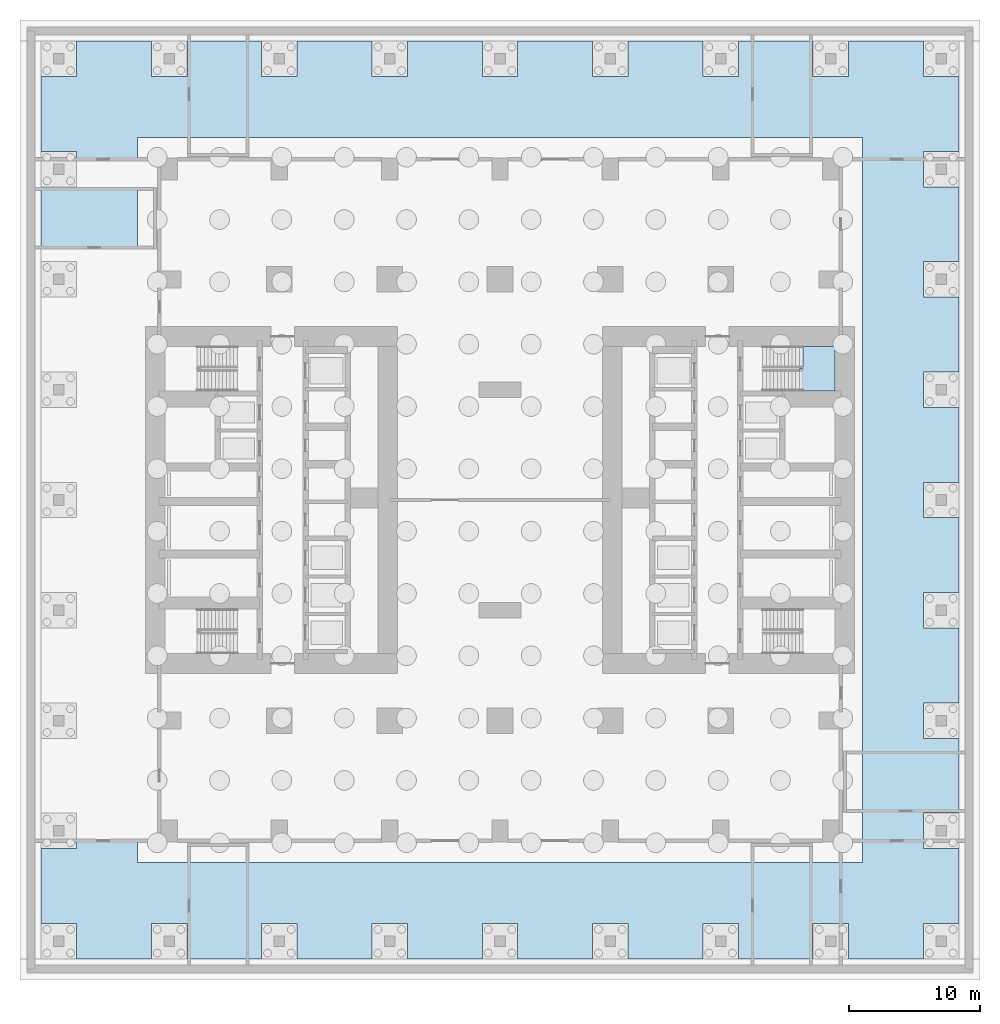
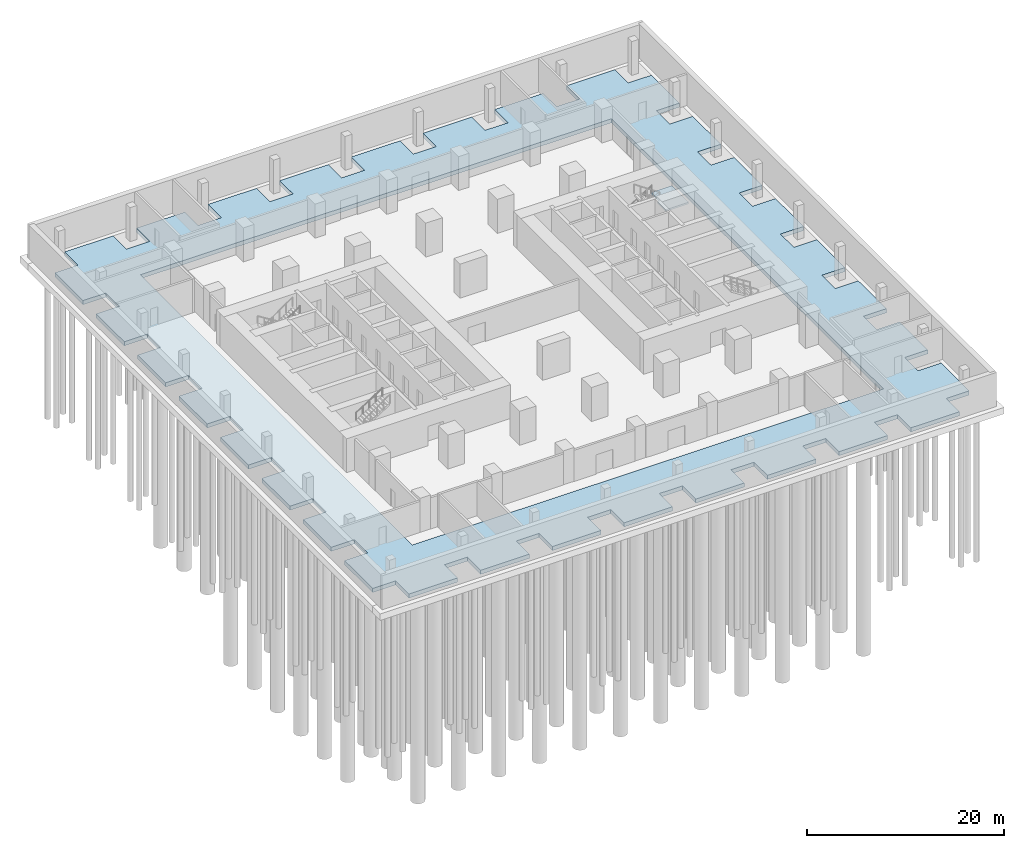
# One storey, part 3 of 11: 2 slabs, 1 element without a shape of its own.
"""IFC4 building model written with IfcOpenShell, lengths in metres."""

from ifc_helpers import new_model, si_unit, direction, frame, origin, place, context, subcontext, project, spatial, polyline, outline, extrude, material, layer, layer_set, type_object, element, aggregate, save


model = new_model("IFC4")

# Units and contexts
model_context = context("Model", 3, precision=1e-05, world=origin(), true_north=direction((0.0, 1.0)))
body_context = subcontext(model_context, "Body", "Model", "MODEL_VIEW")
ifc_project = project(units=[si_unit("LENGTHUNIT", "METRE"), si_unit("AREAUNIT", "SQUARE_METRE"), si_unit("VOLUMEUNIT", "CUBIC_METRE"), si_unit("PLANEANGLEUNIT", "RADIAN"), si_unit("MASSUNIT", "GRAM", prefix="KILO")], contexts=[model_context])

# Site, building, storey
site_placement = place(None, origin())
site = spatial("IfcSite", under=ifc_project, at=site_placement, CompositionType="ELEMENT")
building_placement = place(site_placement, origin())
building = spatial("IfcBuilding", under=site, at=building_placement, Name="Claustro Exchange Tower", CompositionType="ELEMENT")
storey_placement = place(building_placement, frame((0.0, 0.0, -8.39990234375)))
storey = spatial("IfcBuildingStorey", under=building, at=storey_placement, Name="B2", CompositionType="ELEMENT", Elevation=-8.39990234375)

# Slab
ifc_material_1 = material(Name="Concrete HA-40 (C40/50)", Category="concrete")
ifc_layer_1 = layer(ifc_material_1, 0.5)
ifc_layer_set_1 = layer_set([ifc_layer_1], Name="Concrete HA-40 (C40/50)")
slab_type_1 = type_object("IfcSlabType", Name="S8 500 ground bearing base slab", PredefinedType="BASESLAB", material=ifc_layer_set_1)
slab_1_placement = place(storey_placement, frame((0.0, 0.0, -0.5)))
element("IfcSlab", 1, at=slab_1_placement, inside=storey, type_object=slab_type_1, Name="Base slab S8 B2", PredefinedType="BASESLAB", context=body_context, shape_type="SweptSolid", body=[
    extrude(outline(polyline([(57.449951171875, -7.050048828125), (60.14990234375, -7.050048828125), (60.14990234375, -1.35009765625), (57.449951171875, -1.35009765625), (57.449951171875, 1.35009765625), (60.14990234375, 1.35009765625), (60.14990234375, 7.050048828125), (57.449951171875, 7.050048828125), (57.449951171875, 9.75), (60.14990234375, 9.75), (60.14990234375, 15.449951171875), (57.449951171875, 15.449951171875), (57.449951171875, 18.14990234375), (60.14990234375, 18.14990234375), (60.14990234375, 23.85009765625), (57.449951171875, 23.85009765625), (57.449951171875, 26.550048828125), (60.14990234375, 26.550048828125), (60.14990234375, 32.25), (57.449951171875, 32.25), (57.449951171875, 34.949951171875), (60.14990234375, 34.949951171875), (60.14990234375, 40.64990234375), (57.449951171875, 40.64990234375), (57.449951171875, 43.35009765625), (60.14990234375, 43.35009765625), (60.14990234375, 49.050048828125), (57.449951171875, 49.050048828125), (57.449951171875, 51.75), (60.14990234375, 51.75), (60.14990234375, 57.449951171875), (57.449951171875, 57.449951171875), (57.449951171875, 60.14990234375), (51.75, 60.14990234375), (51.75, 57.449951171875), (49.050048828125, 57.449951171875), (49.050048828125, 60.14990234375), (43.35009765625, 60.14990234375), (43.35009765625, 57.449951171875), (40.64990234375, 57.449951171875), (40.64990234375, 60.14990234375), (34.949951171875, 60.14990234375), (34.949951171875, 57.449951171875), (32.25, 57.449951171875), (32.25, 60.14990234375), (26.550048828125, 60.14990234375), (26.550048828125, 57.449951171875), (23.85009765625, 57.449951171875), (23.85009765625, 60.14990234375), (18.14990234375, 60.14990234375), (18.14990234375, 57.449951171875), (15.449951171875, 57.449951171875), (15.449951171875, 60.14990234375), (9.75, 60.14990234375), (9.75, 57.449951171875), (7.050048828125, 57.449951171875), (7.050048828125, 60.14990234375), (1.35009765625, 60.14990234375), (1.35009765625, 57.449951171875), (-1.35009765625, 57.449951171875), (-1.35009765625, 60.14990234375), (-7.050048828125, 60.14990234375), (-7.050048828125, 57.449951171875), (-9.75, 57.449951171875), (-9.75, 51.75), (-7.050048828125, 51.75), (-7.050048828125, 49.050048828125), (-9.75, 49.050048828125), (-9.75, 43.35009765625), (-7.050048828125, 43.35009765625), (-7.050048828125, 40.64990234375), (-9.75, 40.64990234375), (-9.75, 34.949951171875), (-7.050048828125, 34.949951171875), (-7.050048828125, 32.25), (-9.75, 32.25), (-9.75, 26.550048828125), (-7.050048828125, 26.550048828125), (-7.050048828125, 23.85009765625), (-9.75, 23.85009765625), (-9.75, 18.14990234375), (-7.050048828125, 18.14990234375), (-7.050048828125, 15.449951171875), (-9.75, 15.449951171875), (-9.75, 9.75), (-7.050048828125, 9.75), (-7.050048828125, 7.050048828125), (-9.75, 7.050048828125), (-9.75, 1.35009765625), (-7.050048828125, 1.35009765625), (-7.050048828125, -1.35009765625), (-9.75, -1.35009765625), (-9.75, -7.050048828125), (-7.050048828125, -7.050048828125), (-7.050048828125, -9.75), (-1.35009765625, -9.75), (-1.35009765625, -7.050048828125), (1.35009765625, -7.050048828125), (1.35009765625, -9.75), (7.050048828125, -9.75), (7.050048828125, -7.050048828125), (9.75, -7.050048828125), (9.75, -9.75), (15.449951171875, -9.75), (15.449951171875, -7.050048828125), (18.14990234375, -7.050048828125), (18.14990234375, -9.75), (23.85009765625, -9.75), (23.85009765625, -7.050048828125), (26.550048828125, -7.050048828125), (26.550048828125, -9.75), (32.25, -9.75), (32.25, -7.050048828125), (34.949951171875, -7.050048828125), (34.949951171875, -9.75), (40.64990234375, -9.75), (40.64990234375, -7.050048828125), (43.35009765625, -7.050048828125), (43.35009765625, -9.75), (49.050048828125, -9.75), (49.050048828125, -7.050048828125), (51.75, -7.050048828125), (51.75, -9.75), (57.449951171875, -9.75), (57.449951171875, -7.050048828125)]), holes=[polyline([(52.800048828125, 52.800048828125), (52.800048828125, -2.39990234375), (-2.39990234375, -2.39990234375), (-2.39990234375, 52.800048828125), (52.800048828125, 52.800048828125)])]), origin(), (0.0, 0.0, 1.0), 0.5),
])

# Stair, slab
ifc_material_2 = material(Name="Concrete HA-30 (C30/37), precast", Category="concrete")
stair_type = type_object("IfcStairType", Name="ST1 half-turn stair, 24 risers of 175", PredefinedType="HALF_TURN_STAIR", material=ifc_material_2)
stair_placement = place(storey_placement, origin())
stair = element("IfcStair", 2, at=stair_placement, inside=storey, type_object=stair_type, Name="Stair STEB B2", PredefinedType="HALF_TURN_STAIR")
ifc_material_3 = material(Name="Concrete HA-30 (C30/37), precast", Category="concrete")
ifc_layer_2 = layer(ifc_material_3, 0.199951171875)
ifc_layer_set_2 = layer_set([ifc_layer_2], Name="Concrete HA-30 (C30/37), precast")
slab_type_2 = type_object("IfcSlabType", Name="S9 200 stair landing", PredefinedType="LANDING", material=ifc_layer_set_2)
slab_2_placement = place(storey_placement, frame((0.0, 0.0, 1.89990234375)))
slab_2 = element("IfcSlab", 3, at=slab_2_placement, type_object=slab_type_2, Name="STEB landing 1", PredefinedType="LANDING", context=body_context, shape_type="SweptSolid", body=[
    extrude(outline(polyline([(48.0, 33.5), (48.0, 35.199951171875), (48.27490234375, 35.199951171875), (48.27490234375, 36.89990234375), (50.699951171875, 36.89990234375), (50.699951171875, 33.5), (48.280029296875, 33.5), (48.27490234375, 33.5), (48.0, 33.5)])), origin(), (0.0, 0.0, 1.0), 0.199951171875),
])
aggregate(stair, [slab_2])

save(model, "model.ifc")
